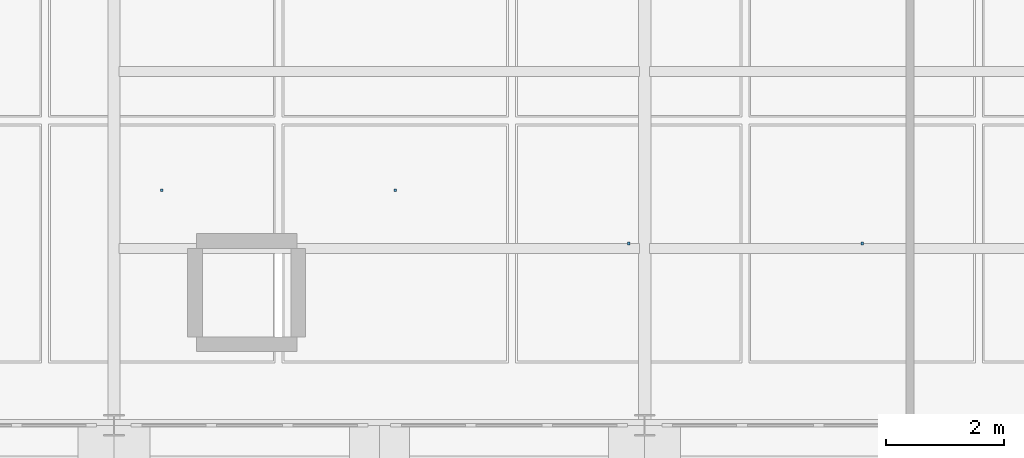
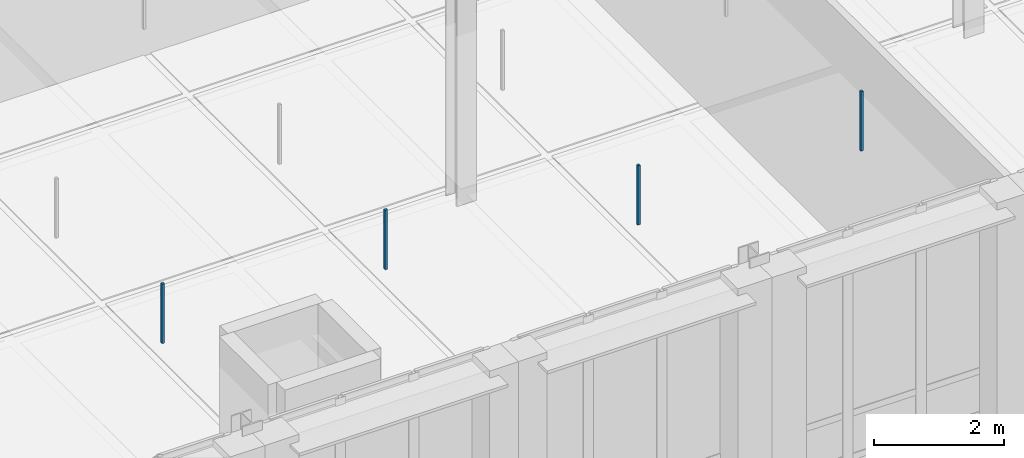
# One storey, part 109 of 130: 4 discrete accessories.
"""IFC4 building model written with IfcOpenShell, lengths in metres."""

from ifc_helpers import new_model, si_unit, direction, frame, origin, origin_2d, place, context, subcontext, project, spatial, rectangle, extrude, material, type_object, element, save


model = new_model("IFC4")

# Units and contexts
model_context = context("Model", 3, precision=1e-05, world=origin(), true_north=direction((0.0, 1.0)))
body_context = subcontext(model_context, "Body", "Model", "MODEL_VIEW")
ifc_project = project(units=[si_unit("LENGTHUNIT", "METRE"), si_unit("AREAUNIT", "SQUARE_METRE"), si_unit("VOLUMEUNIT", "CUBIC_METRE"), si_unit("PLANEANGLEUNIT", "RADIAN"), si_unit("MASSUNIT", "GRAM", prefix="KILO"), si_unit("THERMODYNAMICTEMPERATUREUNIT", "KELVIN"), si_unit("POWERUNIT", "WATT")], contexts=[model_context])

# Site, building, storey
site_placement = place(None, origin())
site = spatial("IfcSite", under=ifc_project, at=site_placement, CompositionType="ELEMENT")
building_placement = place(site_placement, origin())
building = spatial("IfcBuilding", under=site, at=building_placement, Name="Tallowbark Science Centre", CompositionType="ELEMENT")
storey_placement = place(building_placement, frame((0.0, 0.0, 5.39990234375)))
storey = spatial("IfcBuildingStorey", under=building, at=storey_placement, Name="L01", CompositionType="ELEMENT", Elevation=5.39990234375)

# Discrete accessories
ifc_material = material(Name="Galvanised Steel Grade C350L0 (350 MPa)", Category="steel")
discrete_accessory_type = type_object("IfcDiscreteAccessoryType", Name="ACC-CLG-HNG", PredefinedType="BRACKET", material=ifc_material)
for number, where, z_axis, x_axis, name in (
    (1, (131.3125, 75.98828125, 3.2060546875), (0.0, 0.0, 1.0), (1.0, 0.0, 0.0), "Ceiling Hanger Bracket L01-705"),
    (2, (135.270751953125, 75.98828125, 3.2060546875), (0.0, 0.0, 1.0), (1.0, 0.0, 0.0), "Ceiling Hanger Bracket L01-714"),
    (3, (139.229248046875, 75.083251953125, 3.2060546875), (0.0, 0.0, 1.0), (1.0, 0.0, 0.0), "Ceiling Hanger Bracket L01-720"),
    (4, (143.1875, 75.083251953125, 3.2060546875), (0.0, 0.0, 1.0), (1.0, 0.0, 0.0), "Ceiling Hanger Bracket L01-726"),
):
    element("IfcDiscreteAccessory", number, at=place(storey_placement, frame(where, z_axis=z_axis, x_axis=x_axis)), inside=storey, type_object=discrete_accessory_type, Name=name, PredefinedType="BRACKET", context=body_context, shape_type="SweptSolid", body=[
        extrude(rectangle(XDim=0.044921875, YDim=0.044921875, at=origin_2d()), origin(), (0.0, 0.0, 1.0), 1.116943359375),
    ])

save(model, "model.ifc")
